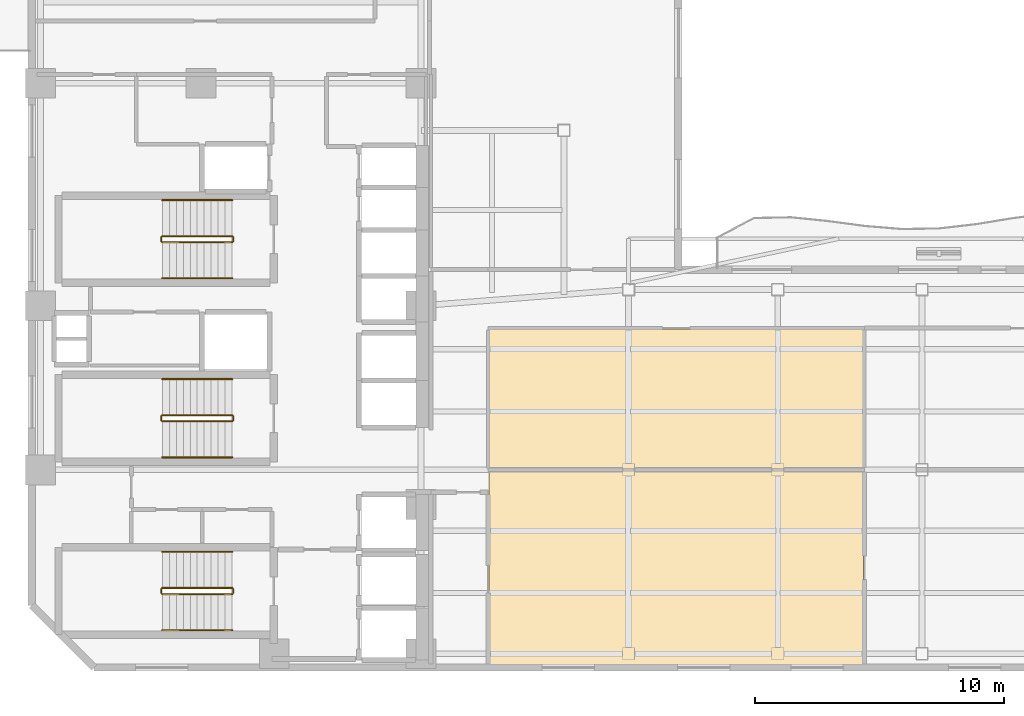
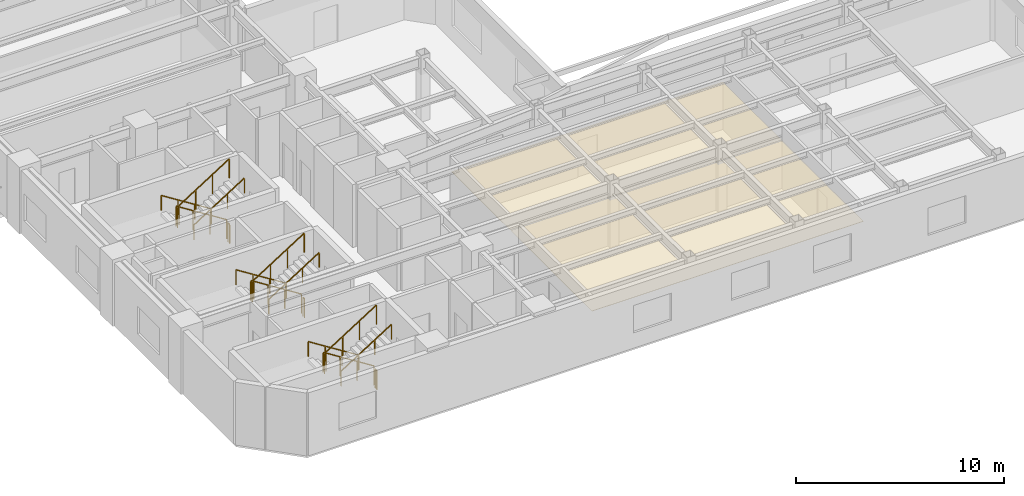
# One storey, part 7 of 9: 18 railings, 2 coverings.
"""IFC4 building model written with IfcOpenShell, lengths in metres."""

from ifc_helpers import new_model, si_unit, direction, frame, origin, origin_2d, place, context, subcontext, project, spatial, polyline, rectangle, outline, extrude, material, layer, layer_set, type_object, element, save


model = new_model("IFC4")

# Units and contexts
model_context = context("Model", 3, precision=1e-05, world=origin(), true_north=direction((0.0, 1.0)))
body_context = subcontext(model_context, "Body", "Model", "MODEL_VIEW")
ifc_project = project(units=[si_unit("LENGTHUNIT", "METRE"), si_unit("AREAUNIT", "SQUARE_METRE"), si_unit("VOLUMEUNIT", "CUBIC_METRE"), si_unit("PLANEANGLEUNIT", "RADIAN"), si_unit("MASSUNIT", "GRAM", prefix="KILO")], contexts=[model_context])

# Site, building, storey
site_placement = place(None, origin())
site = spatial("IfcSite", under=ifc_project, at=site_placement, CompositionType="ELEMENT")
building_placement = place(site_placement, origin())
building = spatial("IfcBuilding", under=site, at=building_placement, Name="Mawjaban Terraces University", CompositionType="ELEMENT")
storey_placement = place(building_placement, frame((0.0, 0.0, 115.10009765625)))
storey = spatial("IfcBuildingStorey", under=building, at=storey_placement, Name="L27", CompositionType="ELEMENT", Elevation=115.10009765625)

# Coverings
ifc_material_1 = material(Name="Acoustic mineral fibre ceiling tile", Category="masonry")
ifc_layer = layer(ifc_material_1, 0.02001953125)
ifc_layer_set = layer_set([ifc_layer], Name="Acoustic mineral fibre ceiling tile")
covering_type = type_object("IfcCoveringType", Name="AcousticMineralCeiling_20", PredefinedType="CEILING", material=ifc_layer_set)
covering_1_placement = place(storey_placement, frame((0.0, 0.0, 2.75)))
element("IfcCovering", 1, at=covering_1_placement, inside=storey, type_object=covering_type, Name="L27 Computational Laboratory 2 Acoustic Ceiling", PredefinedType="CEILING", context=body_context, shape_type="SweptSolid", body=[
    extrude(outline(polyline([(40.3798828125, 0.114990234375), (55.445068359375, 0.114990234375), (55.445068359375, 7.919921875), (40.3798828125, 7.919921875), (40.3798828125, 0.114990234375)])), origin(), (0.0, 0.0, 1.0), 0.02001953125),
])
covering_2_placement = place(storey_placement, frame((0.0, 0.0, 2.75)))
element("IfcCovering", 2, at=covering_2_placement, inside=storey, type_object=covering_type, Name="L27 Teaching Laboratory 3 Acoustic Ceiling", PredefinedType="CEILING", context=body_context, shape_type="SweptSolid", body=[
    extrude(outline(polyline([(55.445068359375, 7.97998046875), (55.445068359375, 13.6201171875), (40.3798828125, 13.6201171875), (40.3798828125, 7.97998046875), (55.445068359375, 7.97998046875)])), origin(), (0.0, 0.0, 1.0), 0.02001953125),
])

# Railings
ifc_material_2 = material(Name="Brushed stainless steel 316", Category="steel")
railing_type_1 = type_object("IfcRailingType", Name="StairWallHandrail_900", PredefinedType="HANDRAIL", material=ifc_material_2)
railing_1_placement = place(storey_placement, frame((30.050048828125, 4.64990234375, 0.17724609375)))
element("IfcRailing", 3, at=railing_1_placement, inside=storey, type_object=railing_type_1, Name="L27 ST-1 stair handrail 1", PredefinedType="HANDRAIL", context=body_context, shape_type="SweptSolid", body=[
    extrude(rectangle(XDim=0.048095703125, YDim=0.048095703125, at=origin_2d()), frame((0.0, 0.0, 0.8759765625), z_axis=(-0.844908973607, 0.0, 0.534910110503), x_axis=(0.0, -1.0, 0.0)), (0.0, 0.0, 1.0), 3.31396484375),
    extrude(rectangle(XDim=0.0419921875, YDim=0.0419921875, at=origin_2d()), origin(), (0.0, 0.0, 1.0), 0.851806640625),
    extrude(rectangle(XDim=0.0419921875, YDim=0.0419921875, at=origin_2d()), frame((-0.933349609375, 0.0, 0.5908203125)), (0.0, 0.0, 1.0), 0.851806640625),
    extrude(rectangle(XDim=0.0419921875, YDim=0.0419921875, at=origin_2d()), frame((-1.86669921875, 0.0, 1.181884765625)), (0.0, 0.0, 1.0), 0.851806640625),
    extrude(rectangle(XDim=0.0419921875, YDim=0.0419921875, at=origin_2d()), frame((-2.800048828125, 0.0, 1.772705078125)), (0.0, 0.0, 1.0), 0.851806640625),
])
railing_2_placement = place(storey_placement, frame((27.25, 1.5, 2.127197265625)))
element("IfcRailing", 4, at=railing_2_placement, inside=storey, type_object=railing_type_1, Name="L27 ST-1 stair handrail 2", PredefinedType="HANDRAIL", context=body_context, shape_type="SweptSolid", body=[
    extrude(rectangle(XDim=0.048095703125, YDim=0.048095703125, at=origin_2d()), frame((0.0, 0.0, 0.8759765625), z_axis=(0.844908973607, 0.0, 0.534910110503), x_axis=(0.0, 1.0, 0.0)), (0.0, 0.0, 1.0), 3.31396484375),
    extrude(rectangle(XDim=0.0419921875, YDim=0.0419921875, at=origin_2d()), origin(), (0.0, 0.0, 1.0), 0.851806640625),
    extrude(rectangle(XDim=0.0419921875, YDim=0.0419921875, at=origin_2d()), frame((0.933349609375, 0.0, 0.5908203125)), (0.0, 0.0, 1.0), 0.851806640625),
    extrude(rectangle(XDim=0.0419921875, YDim=0.0419921875, at=origin_2d()), frame((1.86669921875, 0.0, 1.181884765625)), (0.0, 0.0, 1.0), 0.851806640625),
    extrude(rectangle(XDim=0.0419921875, YDim=0.0419921875, at=origin_2d()), frame((2.800048828125, 0.0, 1.772705078125)), (0.0, 0.0, 1.0), 0.851806640625),
])
railing_3_placement = place(storey_placement, frame((30.050048828125, 18.800048828125, 0.17724609375)))
element("IfcRailing", 5, at=railing_3_placement, inside=storey, type_object=railing_type_1, Name="L27 ST-2 stair handrail 1", PredefinedType="HANDRAIL", context=body_context, shape_type="SweptSolid", body=[
    extrude(rectangle(XDim=0.048095703125, YDim=0.048095703125, at=origin_2d()), frame((0.0, 0.0, 0.8759765625), z_axis=(-0.844908973607, 0.0, 0.534910110503), x_axis=(0.0, -1.0, 0.0)), (0.0, 0.0, 1.0), 3.31396484375),
    extrude(rectangle(XDim=0.0419921875, YDim=0.0419921875, at=origin_2d()), origin(), (0.0, 0.0, 1.0), 0.851806640625),
    extrude(rectangle(XDim=0.0419921875, YDim=0.0419921875, at=origin_2d()), frame((-0.933349609375, 0.0, 0.5908203125)), (0.0, 0.0, 1.0), 0.851806640625),
    extrude(rectangle(XDim=0.0419921875, YDim=0.0419921875, at=origin_2d()), frame((-1.86669921875, 0.0, 1.181884765625)), (0.0, 0.0, 1.0), 0.851806640625),
    extrude(rectangle(XDim=0.0419921875, YDim=0.0419921875, at=origin_2d()), frame((-2.800048828125, 0.0, 1.772705078125)), (0.0, 0.0, 1.0), 0.851806640625),
])
railing_4_placement = place(storey_placement, frame((27.25, 15.64990234375, 2.127197265625)))
element("IfcRailing", 6, at=railing_4_placement, inside=storey, type_object=railing_type_1, Name="L27 ST-2 stair handrail 2", PredefinedType="HANDRAIL", context=body_context, shape_type="SweptSolid", body=[
    extrude(rectangle(XDim=0.048095703125, YDim=0.048095703125, at=origin_2d()), frame((0.0, 0.0, 0.8759765625), z_axis=(0.844908973607, 0.0, 0.534910110503), x_axis=(0.0, 1.0, 0.0)), (0.0, 0.0, 1.0), 3.31396484375),
    extrude(rectangle(XDim=0.0419921875, YDim=0.0419921875, at=origin_2d()), origin(), (0.0, 0.0, 1.0), 0.851806640625),
    extrude(rectangle(XDim=0.0419921875, YDim=0.0419921875, at=origin_2d()), frame((0.933349609375, 0.0, 0.5908203125)), (0.0, 0.0, 1.0), 0.851806640625),
    extrude(rectangle(XDim=0.0419921875, YDim=0.0419921875, at=origin_2d()), frame((1.86669921875, 0.0, 1.181884765625)), (0.0, 0.0, 1.0), 0.851806640625),
    extrude(rectangle(XDim=0.0419921875, YDim=0.0419921875, at=origin_2d()), frame((2.800048828125, 0.0, 1.772705078125)), (0.0, 0.0, 1.0), 0.851806640625),
])
railing_5_placement = place(storey_placement, frame((30.050048828125, 11.60009765625, 0.17724609375)))
element("IfcRailing", 7, at=railing_5_placement, inside=storey, type_object=railing_type_1, Name="L27 ST-3 stair handrail 1", PredefinedType="HANDRAIL", context=body_context, shape_type="SweptSolid", body=[
    extrude(rectangle(XDim=0.048095703125, YDim=0.048095703125, at=origin_2d()), frame((0.0, 0.0, 0.8759765625), z_axis=(-0.844908973607, 0.0, 0.534910110503), x_axis=(0.0, -1.0, 0.0)), (0.0, 0.0, 1.0), 3.31396484375),
    extrude(rectangle(XDim=0.0419921875, YDim=0.0419921875, at=origin_2d()), origin(), (0.0, 0.0, 1.0), 0.851806640625),
    extrude(rectangle(XDim=0.0419921875, YDim=0.0419921875, at=origin_2d()), frame((-0.933349609375, 0.0, 0.5908203125)), (0.0, 0.0, 1.0), 0.851806640625),
    extrude(rectangle(XDim=0.0419921875, YDim=0.0419921875, at=origin_2d()), frame((-1.86669921875, 0.0, 1.181884765625)), (0.0, 0.0, 1.0), 0.851806640625),
    extrude(rectangle(XDim=0.0419921875, YDim=0.0419921875, at=origin_2d()), frame((-2.800048828125, 0.0, 1.772705078125)), (0.0, 0.0, 1.0), 0.851806640625),
])
railing_6_placement = place(storey_placement, frame((27.25, 8.449951171875, 2.127197265625)))
element("IfcRailing", 8, at=railing_6_placement, inside=storey, type_object=railing_type_1, Name="L27 ST-3 stair handrail 2", PredefinedType="HANDRAIL", context=body_context, shape_type="SweptSolid", body=[
    extrude(rectangle(XDim=0.048095703125, YDim=0.048095703125, at=origin_2d()), frame((0.0, 0.0, 0.8759765625), z_axis=(0.844908973607, 0.0, 0.534910110503), x_axis=(0.0, 1.0, 0.0)), (0.0, 0.0, 1.0), 3.31396484375),
    extrude(rectangle(XDim=0.0419921875, YDim=0.0419921875, at=origin_2d()), origin(), (0.0, 0.0, 1.0), 0.851806640625),
    extrude(rectangle(XDim=0.0419921875, YDim=0.0419921875, at=origin_2d()), frame((0.933349609375, 0.0, 0.5908203125)), (0.0, 0.0, 1.0), 0.851806640625),
    extrude(rectangle(XDim=0.0419921875, YDim=0.0419921875, at=origin_2d()), frame((1.86669921875, 0.0, 1.181884765625)), (0.0, 0.0, 1.0), 0.851806640625),
    extrude(rectangle(XDim=0.0419921875, YDim=0.0419921875, at=origin_2d()), frame((2.800048828125, 0.0, 1.772705078125)), (0.0, 0.0, 1.0), 0.851806640625),
])
ifc_material_3 = material(Name="Galvanised painted steel S355", Category="steel")
railing_type_2 = type_object("IfcRailingType", Name="StairWellGuard_1150", PredefinedType="BALUSTRADE", material=ifc_material_3)
railing_7_placement = place(storey_placement, frame((30.050048828125, 3.199951171875, 0.17724609375)))
element("IfcRailing", 9, at=railing_7_placement, inside=storey, type_object=railing_type_2, Name="L27 ST-1 stair guard 1", PredefinedType="BALUSTRADE", context=body_context, shape_type="SweptSolid", body=[
    extrude(rectangle(XDim=0.048095703125, YDim=0.048095703125, at=origin_2d()), frame((0.0, 0.0, 1.1259765625), z_axis=(-0.844908973607, 0.0, 0.534910110503), x_axis=(0.0, -1.0, 0.0)), (0.0, 0.0, 1.0), 3.31396484375),
    extrude(rectangle(XDim=0.0419921875, YDim=0.0419921875, at=origin_2d()), origin(), (0.0, 0.0, 1.0), 1.101806640625),
    extrude(rectangle(XDim=0.0419921875, YDim=0.0419921875, at=origin_2d()), frame((-0.933349609375, 0.0, 0.5908203125)), (0.0, 0.0, 1.0), 1.101806640625),
    extrude(rectangle(XDim=0.0419921875, YDim=0.0419921875, at=origin_2d()), frame((-1.86669921875, 0.0, 1.181884765625)), (0.0, 0.0, 1.0), 1.101806640625),
    extrude(rectangle(XDim=0.0419921875, YDim=0.0419921875, at=origin_2d()), frame((-2.800048828125, 0.0, 1.772705078125)), (0.0, 0.0, 1.0), 1.101806640625),
])
railing_8_placement = place(storey_placement, frame((27.199951171875, 3.14990234375, 1.949951171875)))
element("IfcRailing", 10, at=railing_8_placement, inside=storey, type_object=railing_type_2, Name="L27 ST-1 stair guard 2", PredefinedType="BALUSTRADE", context=body_context, shape_type="SweptSolid", body=[
    extrude(rectangle(XDim=0.048095703125, YDim=0.048095703125, at=origin_2d()), frame((0.0, 0.0, 1.1259765625), z_axis=(0.0, -1.0, 0.0), x_axis=(1.0, 0.0, 0.0)), (0.0, 0.0, 1.0), 0.14990234375),
    extrude(rectangle(XDim=0.0419921875, YDim=0.0419921875, at=origin_2d()), origin(), (0.0, 0.0, 1.0), 1.101806640625),
    extrude(rectangle(XDim=0.0419921875, YDim=0.0419921875, at=origin_2d()), frame((0.0, -0.14990234375, 0.0)), (0.0, 0.0, 1.0), 1.101806640625),
])
railing_9_placement = place(storey_placement, frame((27.25, 2.949951171875, 2.127197265625)))
element("IfcRailing", 11, at=railing_9_placement, inside=storey, type_object=railing_type_2, Name="L27 ST-1 stair guard 3", PredefinedType="BALUSTRADE", context=body_context, shape_type="SweptSolid", body=[
    extrude(rectangle(XDim=0.048095703125, YDim=0.048095703125, at=origin_2d()), frame((0.0, 0.0, 1.1259765625), z_axis=(0.844908973607, 0.0, 0.534910110503), x_axis=(0.0, 1.0, 0.0)), (0.0, 0.0, 1.0), 3.31396484375),
    extrude(rectangle(XDim=0.0419921875, YDim=0.0419921875, at=origin_2d()), origin(), (0.0, 0.0, 1.0), 1.101806640625),
    extrude(rectangle(XDim=0.0419921875, YDim=0.0419921875, at=origin_2d()), frame((0.933349609375, 0.0, 0.5908203125)), (0.0, 0.0, 1.0), 1.101806640625),
    extrude(rectangle(XDim=0.0419921875, YDim=0.0419921875, at=origin_2d()), frame((1.86669921875, 0.0, 1.181884765625)), (0.0, 0.0, 1.0), 1.101806640625),
    extrude(rectangle(XDim=0.0419921875, YDim=0.0419921875, at=origin_2d()), frame((2.800048828125, 0.0, 1.772705078125)), (0.0, 0.0, 1.0), 1.101806640625),
])
railing_10_placement = place(storey_placement, frame((30.10009765625, 3.14990234375, 0.0)))
element("IfcRailing", 12, at=railing_10_placement, inside=storey, type_object=railing_type_2, Name="L27 ST-1 stair guard 4", PredefinedType="BALUSTRADE", context=body_context, shape_type="SweptSolid", body=[
    extrude(rectangle(XDim=0.048095703125, YDim=0.048095703125, at=origin_2d()), frame((0.0, 0.0, 1.1259765625), z_axis=(0.0, -1.0, 0.0), x_axis=(1.0, 0.0, 0.0)), (0.0, 0.0, 1.0), 0.14990234375),
    extrude(rectangle(XDim=0.0419921875, YDim=0.0419921875, at=origin_2d()), origin(), (0.0, 0.0, 1.0), 1.101806640625),
    extrude(rectangle(XDim=0.0419921875, YDim=0.0419921875, at=origin_2d()), frame((0.0, -0.14990234375, 0.0)), (0.0, 0.0, 1.0), 1.101806640625),
])
railing_11_placement = place(storey_placement, frame((30.050048828125, 17.35009765625, 0.17724609375)))
element("IfcRailing", 13, at=railing_11_placement, inside=storey, type_object=railing_type_2, Name="L27 ST-2 stair guard 1", PredefinedType="BALUSTRADE", context=body_context, shape_type="SweptSolid", body=[
    extrude(rectangle(XDim=0.048095703125, YDim=0.048095703125, at=origin_2d()), frame((0.0, 0.0, 1.1259765625), z_axis=(-0.844908973607, 0.0, 0.534910110503), x_axis=(0.0, -1.0, 0.0)), (0.0, 0.0, 1.0), 3.31396484375),
    extrude(rectangle(XDim=0.0419921875, YDim=0.0419921875, at=origin_2d()), origin(), (0.0, 0.0, 1.0), 1.101806640625),
    extrude(rectangle(XDim=0.0419921875, YDim=0.0419921875, at=origin_2d()), frame((-0.933349609375, 0.0, 0.5908203125)), (0.0, 0.0, 1.0), 1.101806640625),
    extrude(rectangle(XDim=0.0419921875, YDim=0.0419921875, at=origin_2d()), frame((-1.86669921875, 0.0, 1.181884765625)), (0.0, 0.0, 1.0), 1.101806640625),
    extrude(rectangle(XDim=0.0419921875, YDim=0.0419921875, at=origin_2d()), frame((-2.800048828125, 0.0, 1.772705078125)), (0.0, 0.0, 1.0), 1.101806640625),
])
railing_12_placement = place(storey_placement, frame((27.199951171875, 17.300048828125, 1.949951171875)))
element("IfcRailing", 14, at=railing_12_placement, inside=storey, type_object=railing_type_2, Name="L27 ST-2 stair guard 2", PredefinedType="BALUSTRADE", context=body_context, shape_type="SweptSolid", body=[
    extrude(rectangle(XDim=0.048095703125, YDim=0.048095703125, at=origin_2d()), frame((0.0, 0.0, 1.1259765625), z_axis=(0.0, -1.0, 0.0), x_axis=(1.0, 0.0, 0.0)), (0.0, 0.0, 1.0), 0.150146484375),
    extrude(rectangle(XDim=0.0419921875, YDim=0.0419921875, at=origin_2d()), origin(), (0.0, 0.0, 1.0), 1.101806640625),
    extrude(rectangle(XDim=0.0419921875, YDim=0.0419921875, at=origin_2d()), frame((0.0, -0.150146484375, 0.0)), (0.0, 0.0, 1.0), 1.101806640625),
])
railing_13_placement = place(storey_placement, frame((27.25, 17.10009765625, 2.127197265625)))
element("IfcRailing", 15, at=railing_13_placement, inside=storey, type_object=railing_type_2, Name="L27 ST-2 stair guard 3", PredefinedType="BALUSTRADE", context=body_context, shape_type="SweptSolid", body=[
    extrude(rectangle(XDim=0.048095703125, YDim=0.048095703125, at=origin_2d()), frame((0.0, 0.0, 1.1259765625), z_axis=(0.844908973607, 0.0, 0.534910110503), x_axis=(0.0, 1.0, 0.0)), (0.0, 0.0, 1.0), 3.31396484375),
    extrude(rectangle(XDim=0.0419921875, YDim=0.0419921875, at=origin_2d()), origin(), (0.0, 0.0, 1.0), 1.101806640625),
    extrude(rectangle(XDim=0.0419921875, YDim=0.0419921875, at=origin_2d()), frame((0.933349609375, 0.0, 0.5908203125)), (0.0, 0.0, 1.0), 1.101806640625),
    extrude(rectangle(XDim=0.0419921875, YDim=0.0419921875, at=origin_2d()), frame((1.86669921875, 0.0, 1.181884765625)), (0.0, 0.0, 1.0), 1.101806640625),
    extrude(rectangle(XDim=0.0419921875, YDim=0.0419921875, at=origin_2d()), frame((2.800048828125, 0.0, 1.772705078125)), (0.0, 0.0, 1.0), 1.101806640625),
])
railing_14_placement = place(storey_placement, frame((30.10009765625, 17.300048828125, 0.0)))
element("IfcRailing", 16, at=railing_14_placement, inside=storey, type_object=railing_type_2, Name="L27 ST-2 stair guard 4", PredefinedType="BALUSTRADE", context=body_context, shape_type="SweptSolid", body=[
    extrude(rectangle(XDim=0.048095703125, YDim=0.048095703125, at=origin_2d()), frame((0.0, 0.0, 1.1259765625), z_axis=(0.0, -1.0, 0.0), x_axis=(1.0, 0.0, 0.0)), (0.0, 0.0, 1.0), 0.150146484375),
    extrude(rectangle(XDim=0.0419921875, YDim=0.0419921875, at=origin_2d()), origin(), (0.0, 0.0, 1.0), 1.101806640625),
    extrude(rectangle(XDim=0.0419921875, YDim=0.0419921875, at=origin_2d()), frame((0.0, -0.150146484375, 0.0)), (0.0, 0.0, 1.0), 1.101806640625),
])
railing_15_placement = place(storey_placement, frame((30.050048828125, 10.14990234375, 0.17724609375)))
element("IfcRailing", 17, at=railing_15_placement, inside=storey, type_object=railing_type_2, Name="L27 ST-3 stair guard 1", PredefinedType="BALUSTRADE", context=body_context, shape_type="SweptSolid", body=[
    extrude(rectangle(XDim=0.048095703125, YDim=0.048095703125, at=origin_2d()), frame((0.0, 0.0, 1.1259765625), z_axis=(-0.844908973607, 0.0, 0.534910110503), x_axis=(0.0, -1.0, 0.0)), (0.0, 0.0, 1.0), 3.31396484375),
    extrude(rectangle(XDim=0.0419921875, YDim=0.0419921875, at=origin_2d()), origin(), (0.0, 0.0, 1.0), 1.101806640625),
    extrude(rectangle(XDim=0.0419921875, YDim=0.0419921875, at=origin_2d()), frame((-0.933349609375, 0.0, 0.5908203125)), (0.0, 0.0, 1.0), 1.101806640625),
    extrude(rectangle(XDim=0.0419921875, YDim=0.0419921875, at=origin_2d()), frame((-1.86669921875, 0.0, 1.181884765625)), (0.0, 0.0, 1.0), 1.101806640625),
    extrude(rectangle(XDim=0.0419921875, YDim=0.0419921875, at=origin_2d()), frame((-2.800048828125, 0.0, 1.772705078125)), (0.0, 0.0, 1.0), 1.101806640625),
])
railing_16_placement = place(storey_placement, frame((27.199951171875, 10.10009765625, 1.949951171875)))
element("IfcRailing", 18, at=railing_16_placement, inside=storey, type_object=railing_type_2, Name="L27 ST-3 stair guard 2", PredefinedType="BALUSTRADE", context=body_context, shape_type="SweptSolid", body=[
    extrude(rectangle(XDim=0.048095703125, YDim=0.048095703125, at=origin_2d()), frame((0.0, 0.0, 1.1259765625), z_axis=(0.0, -1.0, 0.0), x_axis=(1.0, 0.0, 0.0)), (0.0, 0.0, 1.0), 0.150146484375),
    extrude(rectangle(XDim=0.0419921875, YDim=0.0419921875, at=origin_2d()), origin(), (0.0, 0.0, 1.0), 1.101806640625),
    extrude(rectangle(XDim=0.0419921875, YDim=0.0419921875, at=origin_2d()), frame((0.0, -0.150146484375, 0.0)), (0.0, 0.0, 1.0), 1.101806640625),
])
railing_17_placement = place(storey_placement, frame((27.25, 9.89990234375, 2.127197265625)))
element("IfcRailing", 19, at=railing_17_placement, inside=storey, type_object=railing_type_2, Name="L27 ST-3 stair guard 3", PredefinedType="BALUSTRADE", context=body_context, shape_type="SweptSolid", body=[
    extrude(rectangle(XDim=0.048095703125, YDim=0.048095703125, at=origin_2d()), frame((0.0, 0.0, 1.1259765625), z_axis=(0.844908973607, 0.0, 0.534910110503), x_axis=(0.0, 1.0, 0.0)), (0.0, 0.0, 1.0), 3.31396484375),
    extrude(rectangle(XDim=0.0419921875, YDim=0.0419921875, at=origin_2d()), origin(), (0.0, 0.0, 1.0), 1.101806640625),
    extrude(rectangle(XDim=0.0419921875, YDim=0.0419921875, at=origin_2d()), frame((0.933349609375, 0.0, 0.5908203125)), (0.0, 0.0, 1.0), 1.101806640625),
    extrude(rectangle(XDim=0.0419921875, YDim=0.0419921875, at=origin_2d()), frame((1.86669921875, 0.0, 1.181884765625)), (0.0, 0.0, 1.0), 1.101806640625),
    extrude(rectangle(XDim=0.0419921875, YDim=0.0419921875, at=origin_2d()), frame((2.800048828125, 0.0, 1.772705078125)), (0.0, 0.0, 1.0), 1.101806640625),
])
railing_18_placement = place(storey_placement, frame((30.10009765625, 10.10009765625, 0.0)))
element("IfcRailing", 20, at=railing_18_placement, inside=storey, type_object=railing_type_2, Name="L27 ST-3 stair guard 4", PredefinedType="BALUSTRADE", context=body_context, shape_type="SweptSolid", body=[
    extrude(rectangle(XDim=0.048095703125, YDim=0.048095703125, at=origin_2d()), frame((0.0, 0.0, 1.1259765625), z_axis=(0.0, -1.0, 0.0), x_axis=(1.0, 0.0, 0.0)), (0.0, 0.0, 1.0), 0.150146484375),
    extrude(rectangle(XDim=0.0419921875, YDim=0.0419921875, at=origin_2d()), origin(), (0.0, 0.0, 1.0), 1.101806640625),
    extrude(rectangle(XDim=0.0419921875, YDim=0.0419921875, at=origin_2d()), frame((0.0, -0.150146484375, 0.0)), (0.0, 0.0, 1.0), 1.101806640625),
])

save(model, "model.ifc")
